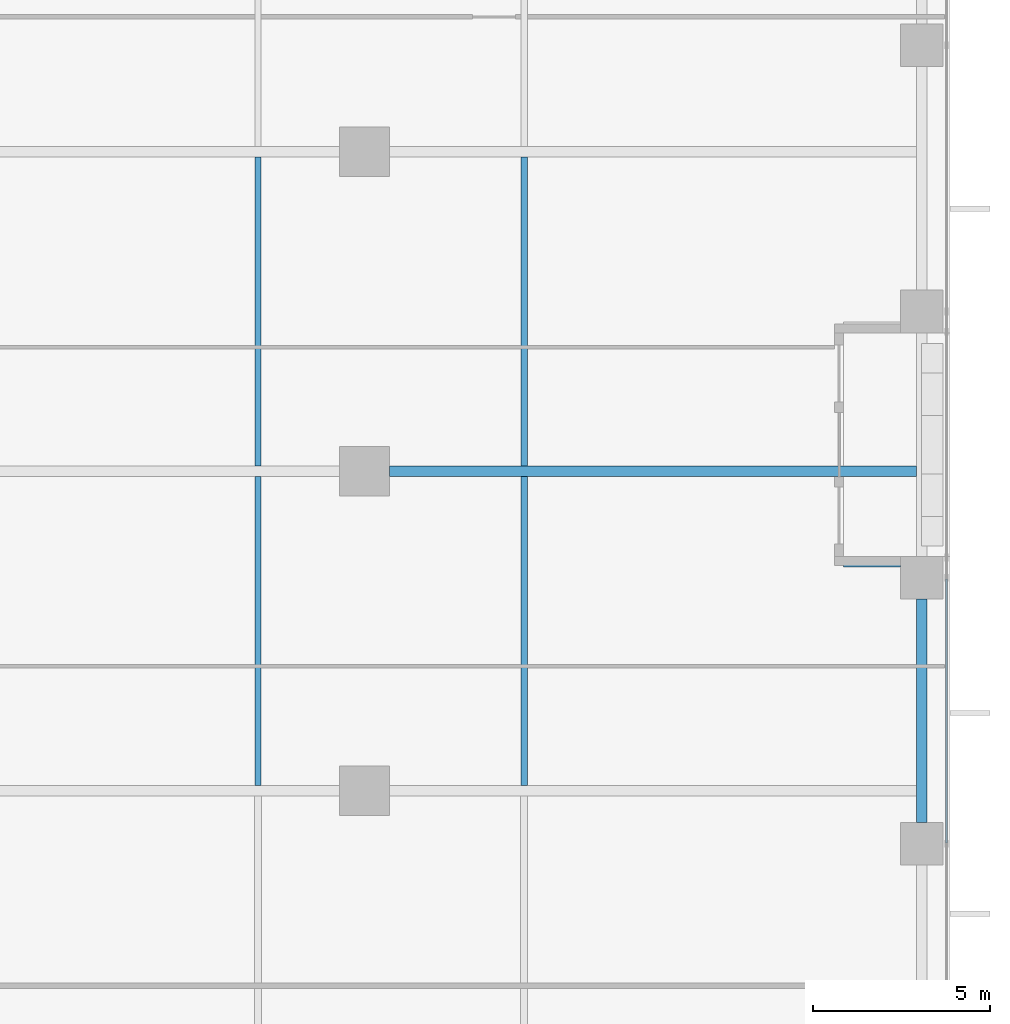
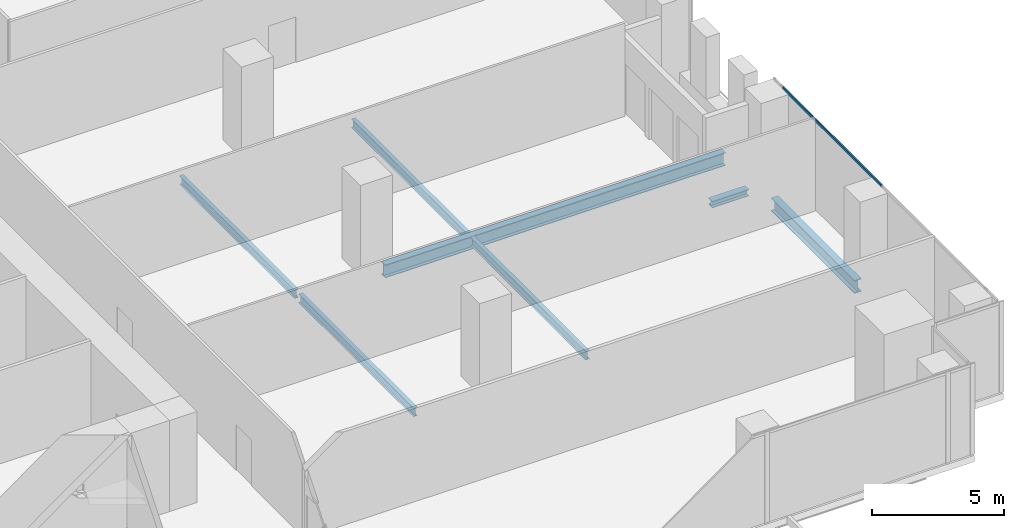
# One storey, part 10 of 32: 7 beams, 1 member, 1 element without a shape of its own.
"""IFC4 building model written with IfcOpenShell, lengths in metres."""

from ifc_helpers import new_model, si_unit, direction, frame, origin, origin_2d, place, context, subcontext, project, spatial, hollow_rectangle, i_section, extrude, source, transform, mapped, material, material_profile, profile_set, type_object, element, aggregate, save


model = new_model("IFC4")

# Units and contexts
model_context = context("Model", 3, precision=1e-05, world=origin(), true_north=direction((0.0, 1.0)))
body_context = subcontext(model_context, "Body", "Model", "MODEL_VIEW")
ifc_project = project(units=[si_unit("LENGTHUNIT", "METRE"), si_unit("AREAUNIT", "SQUARE_METRE"), si_unit("VOLUMEUNIT", "CUBIC_METRE"), si_unit("PLANEANGLEUNIT", "RADIAN"), si_unit("MASSUNIT", "GRAM", prefix="KILO")], contexts=[model_context])

# Site, building, storey
site_placement = place(None, origin())
site = spatial("IfcSite", under=ifc_project, at=site_placement, CompositionType="ELEMENT")
building_placement = place(site_placement, origin())
building = spatial("IfcBuilding", under=site, at=building_placement, Name="Khomas Fold Tower", CompositionType="ELEMENT")
storey_placement = place(building_placement, frame((0.0, 0.0, 37.5)))
storey = spatial("IfcBuildingStorey", under=building, at=storey_placement, Name="L07", CompositionType="ELEMENT", Elevation=37.5)

# Beams
ifc_material_1 = material(Name="Steel S355", Category="steel")
ifc_material_profile_1 = material_profile(ifc_material_1, i_section(OverallWidth=0.179931640625, OverallDepth=0.39990234375, WebThickness=0.008544921875, FlangeThickness=0.013427734375, at=origin_2d()), Name="IPE 400")
ifc_profile_set_1 = profile_set([ifc_material_profile_1], Name="Steel S355")
beam_type_1 = type_object("IfcBeamType", Name="IPE 400 beam JB3", PredefinedType="BEAM", material=ifc_profile_set_1)
shared_shape_1 = source(origin(), body_context, "Body", "SweptSolid", [
    extrude(i_section(OverallWidth=0.179931640625, OverallDepth=0.39990234375, WebThickness=0.008544921875, FlangeThickness=0.013427734375, at=origin_2d()), origin(), (0.0, 0.0, 1.0), 8.7001953125),
])
for number, where, z_axis, x_axis, name in (
    (1, (34.5, 13.64990234375, -0.5), (0.0, 1.0, 0.0), (-1.0, 0.0, 0.0), "JB3"),
    (2, (34.5, 22.64990234375, -0.5), (0.0, 1.0, 0.0), (-1.0, 0.0, 0.0), "JB3"),
    (3, (42.0, 13.64990234375, -0.5), (0.0, 1.0, 0.0), (-1.0, 0.0, 0.0), "JB3"),
    (4, (42.0, 22.64990234375, -0.5), (0.0, 1.0, 0.0), (-1.0, 0.0, 0.0), "JB3"),
):
    element("IfcBeam", number, at=place(storey_placement, frame(where, z_axis=z_axis, x_axis=x_axis)), inside=storey, type_object=beam_type_1, Name=name, PredefinedType="BEAM", context=body_context, shape_type="MappedRepresentation", body=[
        mapped(shared_shape_1, transform((0.0, 0.0, 0.0))),
    ])
ifc_material_2 = material(Name="Steel S355", Category="steel")
ifc_material_profile_2 = material_profile(ifc_material_2, i_section(OverallWidth=0.300048828125, OverallDepth=0.60009765625, WebThickness=0.015380859375, FlangeThickness=0.030029296875, at=origin_2d()), Name="HE 600 B")
ifc_profile_set_2 = profile_set([ifc_material_profile_2], Name="Steel S355")
beam_type_2 = type_object("IfcBeamType", Name="HE 600 B spandrel SB1", PredefinedType="SPANDREL", material=ifc_profile_set_2)
shared_shape_2 = source(origin(), body_context, "Body", "SweptSolid", [
    extrude(i_section(OverallWidth=0.300048828125, OverallDepth=0.60009765625, WebThickness=0.015380859375, FlangeThickness=0.030029296875, at=origin_2d()), origin(), (0.0, 0.0, 1.0), 6.2998046875),
])
beam_1_placement = place(storey_placement, frame((53.199951171875, 12.60009765625, -0.60009765625), z_axis=(0.0, 1.0, 0.0), x_axis=(-1.0, 0.0, 0.0)))
element("IfcBeam", 5, at=beam_1_placement, inside=storey, type_object=beam_type_2, Name="SB1", PredefinedType="SPANDREL", context=body_context, shape_type="MappedRepresentation", body=[
    mapped(shared_shape_2, transform((0.0, 0.0, 0.0))),
])
ifc_material_3 = material(Name="Steel S355", Category="steel")
ifc_material_profile_3 = material_profile(ifc_material_3, i_section(OverallWidth=0.300048828125, OverallDepth=0.60009765625, WebThickness=0.015380859375, FlangeThickness=0.030029296875, at=origin_2d()), Name="HE 600 B")
ifc_profile_set_3 = profile_set([ifc_material_profile_3], Name="Steel S355")
beam_type_3 = type_object("IfcBeamType", Name="HE 600 B beam GB5", PredefinedType="BEAM", material=ifc_profile_set_3)
shared_shape_3 = source(origin(), body_context, "Body", "SweptSolid", [
    extrude(i_section(OverallWidth=0.300048828125, OverallDepth=0.60009765625, WebThickness=0.015380859375, FlangeThickness=0.030029296875, at=origin_2d()), origin(), (0.0, 0.0, 1.0), 14.85009765625),
])
beam_2_placement = place(storey_placement, frame((38.199951171875, 22.5, -0.60009765625), z_axis=(1.0, 0.0, 0.0), x_axis=(0.0, 1.0, 0.0)))
element("IfcBeam", 6, at=beam_2_placement, inside=storey, type_object=beam_type_3, Name="GB5", PredefinedType="BEAM", context=body_context, shape_type="MappedRepresentation", body=[
    mapped(shared_shape_3, transform((0.0, 0.0, 0.0))),
])
ifc_material_4 = material(Name="Steel S355", Category="steel")
ifc_material_profile_4 = material_profile(ifc_material_4, i_section(OverallWidth=0.300048828125, OverallDepth=0.300048828125, WebThickness=0.010986328125, FlangeThickness=0.01904296875, at=origin_2d()), Name="HE 300 B")
ifc_profile_set_4 = profile_set([ifc_material_profile_4], Name="Steel S355")
beam_type_4 = type_object("IfcBeamType", Name="HE 300 B beam BB1", PredefinedType="BEAM", material=ifc_profile_set_4)
shared_shape_4 = source(origin(), body_context, "Body", "SweptSolid", [
    extrude(i_section(OverallWidth=0.300048828125, OverallDepth=0.300048828125, WebThickness=0.010986328125, FlangeThickness=0.01904296875, at=origin_2d()), origin(), (0.0, 0.0, 1.0), 1.60009765625),
])
beam_3_placement = place(storey_placement, frame((51.0, 19.949951171875, -0.449951171875), z_axis=(1.0, 0.0, 0.0), x_axis=(0.0, 1.0, 0.0)))
element("IfcBeam", 7, at=beam_3_placement, inside=storey, type_object=beam_type_4, Name="BB1", PredefinedType="BEAM", context=body_context, shape_type="MappedRepresentation", body=[
    mapped(shared_shape_4, transform((0.0, 0.0, 0.0))),
])

# Curtain wall, member
ifc_material_5 = material(Name="Aluminium framed double glazing", Category="aluminium")
curtain_wall_type = type_object("IfcCurtainWallType", Name="SK-Unitised clear-glass wall, growing floors CW1", PredefinedType="NOTDEFINED", material=ifc_material_5)
curtain_wall_placement = place(storey_placement, origin())
curtain_wall = element("IfcCurtainWall", 8, at=curtain_wall_placement, inside=storey, type_object=curtain_wall_type, Name="CW1 run L07 03-0", PredefinedType="NOTDEFINED")
ifc_material_6 = material(Name="Aluminium", Category="aluminium")
ifc_material_profile_5 = material_profile(ifc_material_6, hollow_rectangle(XDim=0.06005859375, YDim=0.1201171875, WallThickness=0.00390625, at=origin_2d()), Name="SK-Unitised clear-glass wall, growing floors transom CW1-T")
ifc_profile_set_5 = profile_set([ifc_material_profile_5], Name="Aluminium")
member_type = type_object("IfcMemberType", Name="SK-Unitised clear-glass wall, growing floors transom CW1-T", PredefinedType="USERDEFINED", material=ifc_profile_set_5)
shared_shape_5 = source(origin(), body_context, "Body", "SweptSolid", [
    extrude(hollow_rectangle(XDim=0.06005859375, YDim=0.1201171875, WallThickness=0.00390625, at=origin_2d()), origin(), (0.0, 0.0, 1.0), 7.43994140625),
])
member_placement = place(storey_placement, frame((53.89990234375, 12.030029296875, 4.139892578125), z_axis=(0.0, 1.0, 0.0), x_axis=(-1.0, 0.0, 0.0)))
member = element("IfcMember", 9, at=member_placement, type_object=member_type, Name="CW1 transom 3", ObjectType="TRANSOM", PredefinedType="USERDEFINED", context=body_context, shape_type="MappedRepresentation", body=[
    mapped(shared_shape_5, transform((0.0, 0.0, 0.0))),
])
aggregate(curtain_wall, [member])

save(model, "model.ifc")
